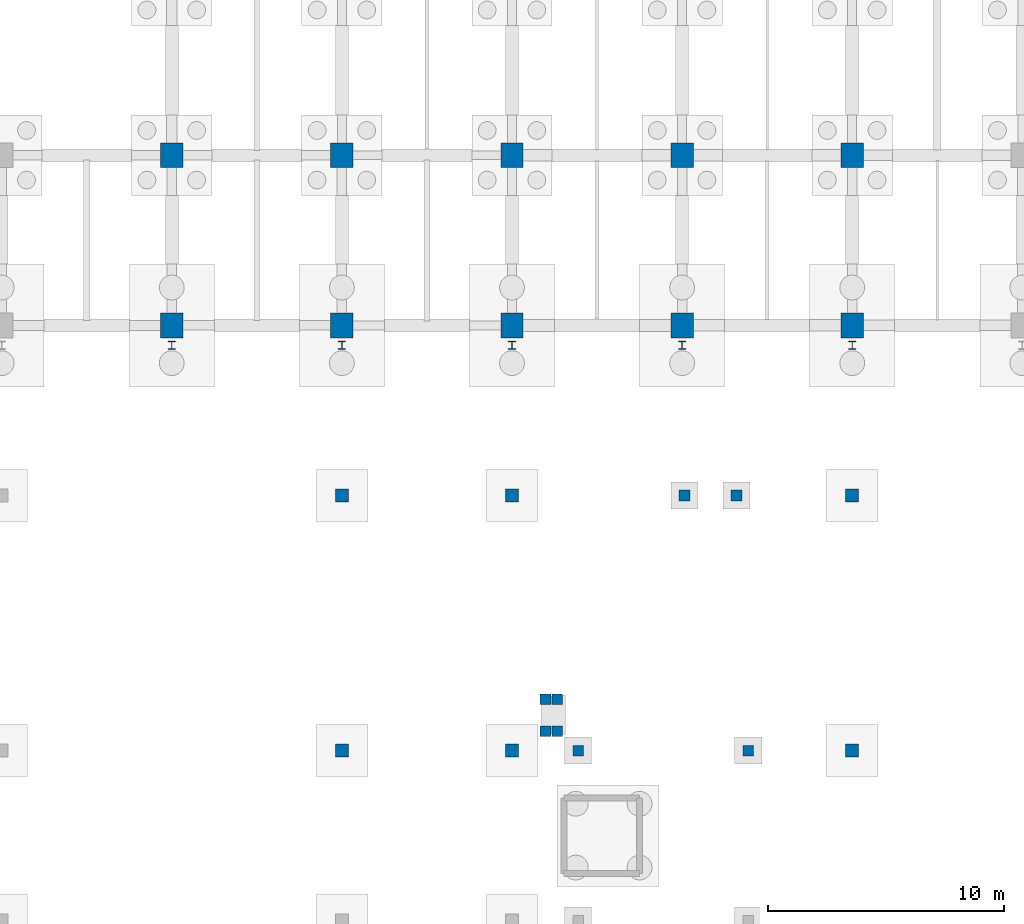
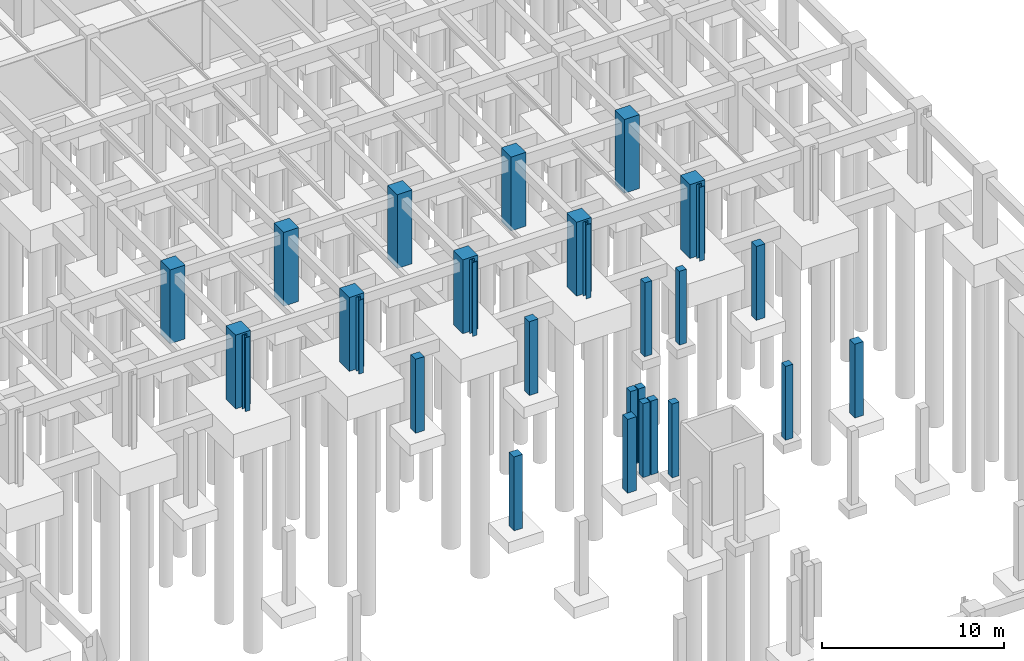
# One storey, part 21 of 47: 29 columns.
"""IFC4 building model written with IfcOpenShell, lengths in metres."""

from ifc_helpers import new_model, si_unit, direction, frame, origin, origin_2d, place, context, subcontext, project, spatial, rectangle, i_section, extrude, material, material_profile, profile_set, type_object, element, save


model = new_model("IFC4")

# Units and contexts
model_context = context("Model", 3, precision=1e-05, world=origin(), true_north=direction((0.0, 1.0)))
body_context = subcontext(model_context, "Body", "Model", "MODEL_VIEW")
ifc_project = project(units=[si_unit("LENGTHUNIT", "METRE"), si_unit("AREAUNIT", "SQUARE_METRE"), si_unit("VOLUMEUNIT", "CUBIC_METRE"), si_unit("PLANEANGLEUNIT", "RADIAN"), si_unit("MASSUNIT", "GRAM", prefix="KILO")], contexts=[model_context])

# Site, building, storey
site_placement = place(None, origin())
site = spatial("IfcSite", under=ifc_project, at=site_placement, CompositionType="ELEMENT")
building_placement = place(site_placement, origin())
building = spatial("IfcBuilding", under=site, at=building_placement, Name="Thalmaran Polytechnic", CompositionType="ELEMENT")
storey_placement = place(building_placement, frame((0.0, 0.0, -4.5)))
storey = spatial("IfcBuildingStorey", under=building, at=storey_placement, Name="B1", CompositionType="ELEMENT", Elevation=-4.5)

# Columns
ifc_material_1 = material(Name="Concrete C40/50", Category="concrete")
ifc_material_profile_1 = material_profile(ifc_material_1, rectangle(XDim=0.550048828125, YDim=0.550048828125, at=origin_2d()), Name="RC 550x550")
ifc_profile_set_1 = profile_set([ifc_material_profile_1], Name="Concrete C40/50")
column_type_1 = type_object("IfcColumnType", Name="COL-C08", PredefinedType="COLUMN", material=ifc_profile_set_1)
for number, where, z_axis, x_axis, name in (
    (1, (136.800048828125, 32.39990234375, -0.449951171875), (0.0, 0.0, 1.0), (1.0, 0.0, 0.0), "POD3 Foundation Pedestal"),
    (2, (136.800048828125, 43.199951171875, -0.449951171875), (0.0, 0.0, 1.0), (1.0, 0.0, 0.0), "POD3 Foundation Pedestal"),
    (3, (144.0, 32.39990234375, -0.449951171875), (0.0, 0.0, 1.0), (1.0, 0.0, 0.0), "POD4 Foundation Pedestal"),
    (4, (144.0, 43.199951171875, -0.449951171875), (0.0, 0.0, 1.0), (1.0, 0.0, 0.0), "POD4 Foundation Pedestal"),
    (5, (158.39990234375, 32.39990234375, -0.449951171875), (0.0, 0.0, 1.0), (1.0, 0.0, 0.0), "POD4 Foundation Pedestal"),
    (6, (158.39990234375, 43.199951171875, -0.449951171875), (0.0, 0.0, 1.0), (1.0, 0.0, 0.0), "POD4 Foundation Pedestal"),
):
    element("IfcColumn", number, at=place(storey_placement, frame(where, z_axis=z_axis, x_axis=x_axis)), inside=storey, type_object=column_type_1, Name=name, PredefinedType="COLUMN", context=body_context, shape_type="SweptSolid", body=[
        extrude(rectangle(XDim=0.550048828125, YDim=0.550048828125, at=origin_2d()), origin(), (0.0, 0.0, 1.0), 4.949951171875),
    ])
ifc_material_profile_2 = material_profile(ifc_material_1, rectangle(XDim=0.449951171875, YDim=0.449951171875, at=origin_2d()), Name="RC 450x450")
ifc_profile_set_2 = profile_set([ifc_material_profile_2], Name="Concrete C40/50")
column_type_2 = type_object("IfcColumnType", Name="COL-C10", PredefinedType="COLUMN", material=ifc_profile_set_2)
for number, where, z_axis, x_axis, name in (
    (7, (146.800048828125, 32.39990234375, -0.449951171875), (0.0, 0.0, 1.0), (1.0, 0.0, 0.0), "Pod Bridge Pedestal B1"),
    (8, (154.0, 32.39990234375, -0.449951171875), (0.0, 0.0, 1.0), (1.0, 0.0, 0.0), "Pod Bridge Pedestal B1"),
    (9, (151.300048828125, 43.199951171875, -0.449951171875), (0.0, 0.0, 1.0), (1.0, 0.0, 0.0), "Pod Bridge Pedestal B1"),
    (10, (153.5, 43.199951171875, -0.449951171875), (0.0, 0.0, 1.0), (1.0, 0.0, 0.0), "Pod Bridge Pedestal B1"),
    (11, (145.419921875, 33.219970703125, -0.449951171875), (0.0, 0.0, 1.0), (1.0, 0.0, 0.0), "STP2 Landing Pedestal B1"),
    (12, (145.419921875, 34.580078125, -0.449951171875), (0.0, 0.0, 1.0), (1.0, 0.0, 0.0), "STP2 Landing Pedestal B1"),
    (13, (145.919921875, 33.219970703125, -0.449951171875), (0.0, 0.0, 1.0), (1.0, 0.0, 0.0), "STP2 Landing Pedestal B1"),
    (14, (145.919921875, 34.580078125, -0.449951171875), (0.0, 0.0, 1.0), (1.0, 0.0, 0.0), "STP2 Landing Pedestal B1"),
):
    element("IfcColumn", number, at=place(storey_placement, frame(where, z_axis=z_axis, x_axis=x_axis)), inside=storey, type_object=column_type_2, Name=name, PredefinedType="COLUMN", context=body_context, shape_type="SweptSolid", body=[
        extrude(rectangle(XDim=0.449951171875, YDim=0.449951171875, at=origin_2d()), origin(), (0.0, 0.0, 1.0), 4.949951171875),
    ])
ifc_material_2 = material(Name="Steel S355", Category="steel")
ifc_material_profile_3 = material_profile(ifc_material_2, i_section(OverallWidth=0.300048828125, OverallDepth=0.340087890625, WebThickness=0.011962890625, FlangeThickness=0.021484375, at=origin_2d()), Name="HEB 340")
ifc_profile_set_3 = profile_set([ifc_material_profile_3], Name="Steel S355")
column_type_3 = type_object("IfcColumnType", Name="COL-SC1", PredefinedType="COLUMN", material=ifc_profile_set_3)
for number, where, z_axis, x_axis, name in (
    (15, (129.60009765625, 49.550048828125, -0.449951171875), (0.0, 0.0, 1.0), (1.0, 0.0, 0.0), "Workshop Crane Runway Column B1 (18,7)"),
    (16, (136.800048828125, 49.550048828125, -0.449951171875), (0.0, 0.0, 1.0), (1.0, 0.0, 0.0), "Workshop Crane Runway Column B1 (19,7)"),
    (17, (144.0, 49.550048828125, -0.449951171875), (0.0, 0.0, 1.0), (1.0, 0.0, 0.0), "Workshop Crane Runway Column B1 (20,7)"),
    (18, (151.199951171875, 49.550048828125, -0.449951171875), (0.0, 0.0, 1.0), (1.0, 0.0, 0.0), "Workshop Crane Runway Column B1 (21,7)"),
    (19, (158.39990234375, 49.550048828125, -0.449951171875), (0.0, 0.0, 1.0), (1.0, 0.0, 0.0), "Workshop Crane Runway Column B1 (22,7)"),
):
    element("IfcColumn", number, at=place(storey_placement, frame(where, z_axis=z_axis, x_axis=x_axis)), inside=storey, type_object=column_type_3, Name=name, PredefinedType="COLUMN", context=body_context, shape_type="SweptSolid", body=[
        extrude(i_section(OverallWidth=0.300048828125, OverallDepth=0.340087890625, WebThickness=0.011962890625, FlangeThickness=0.021484375, at=origin_2d()), origin(), (0.0, 0.0, 1.0), 4.949951171875),
    ])
ifc_material_3 = material(Name="Concrete C50/60", Category="concrete")
ifc_material_profile_4 = material_profile(ifc_material_3, rectangle(XDim=0.949951171875, YDim=1.050048828125, at=origin_2d()), Name="RC 950x1050")
ifc_profile_set_4 = profile_set([ifc_material_profile_4], Name="Concrete C50/60")
column_type_4 = type_object("IfcColumnType", Name="COL-WP2", PredefinedType="COLUMN", material=ifc_profile_set_4)
for number, where, z_axis, x_axis, name in (
    (20, (129.60009765625, 50.39990234375, -0.449951171875), (0.0, 0.0, 1.0), (1.0, 0.0, 0.0), "Column WP2 B1 (18,7)"),
    (21, (129.60009765625, 57.60009765625, -0.449951171875), (0.0, 0.0, 1.0), (1.0, 0.0, 0.0), "Column WP2 B1 (18,8)"),
    (22, (136.800048828125, 50.39990234375, -0.449951171875), (0.0, 0.0, 1.0), (1.0, 0.0, 0.0), "Column WP2 B1 (19,7)"),
    (23, (136.800048828125, 57.60009765625, -0.449951171875), (0.0, 0.0, 1.0), (1.0, 0.0, 0.0), "Column WP2 B1 (19,8)"),
    (24, (144.0, 50.39990234375, -0.449951171875), (0.0, 0.0, 1.0), (1.0, 0.0, 0.0), "Column WP2 B1 (20,7)"),
    (25, (144.0, 57.60009765625, -0.449951171875), (0.0, 0.0, 1.0), (1.0, 0.0, 0.0), "Column WP2 B1 (20,8)"),
    (26, (151.199951171875, 50.39990234375, -0.449951171875), (0.0, 0.0, 1.0), (1.0, 0.0, 0.0), "Column WP2 B1 (21,7)"),
    (27, (151.199951171875, 57.60009765625, -0.449951171875), (0.0, 0.0, 1.0), (1.0, 0.0, 0.0), "Column WP2 B1 (21,8)"),
    (28, (158.39990234375, 50.39990234375, -0.449951171875), (0.0, 0.0, 1.0), (1.0, 0.0, 0.0), "Column WP2 B1 (22,7)"),
    (29, (158.39990234375, 57.60009765625, -0.449951171875), (0.0, 0.0, 1.0), (1.0, 0.0, 0.0), "Column WP2 B1 (22,8)"),
):
    element("IfcColumn", number, at=place(storey_placement, frame(where, z_axis=z_axis, x_axis=x_axis)), inside=storey, type_object=column_type_4, Name=name, PredefinedType="COLUMN", context=body_context, shape_type="SweptSolid", body=[
        extrude(rectangle(XDim=0.949951171875, YDim=1.050048828125, at=origin_2d()), origin(), (0.0, 0.0, 1.0), 4.949951171875),
    ])

save(model, "model.ifc")
